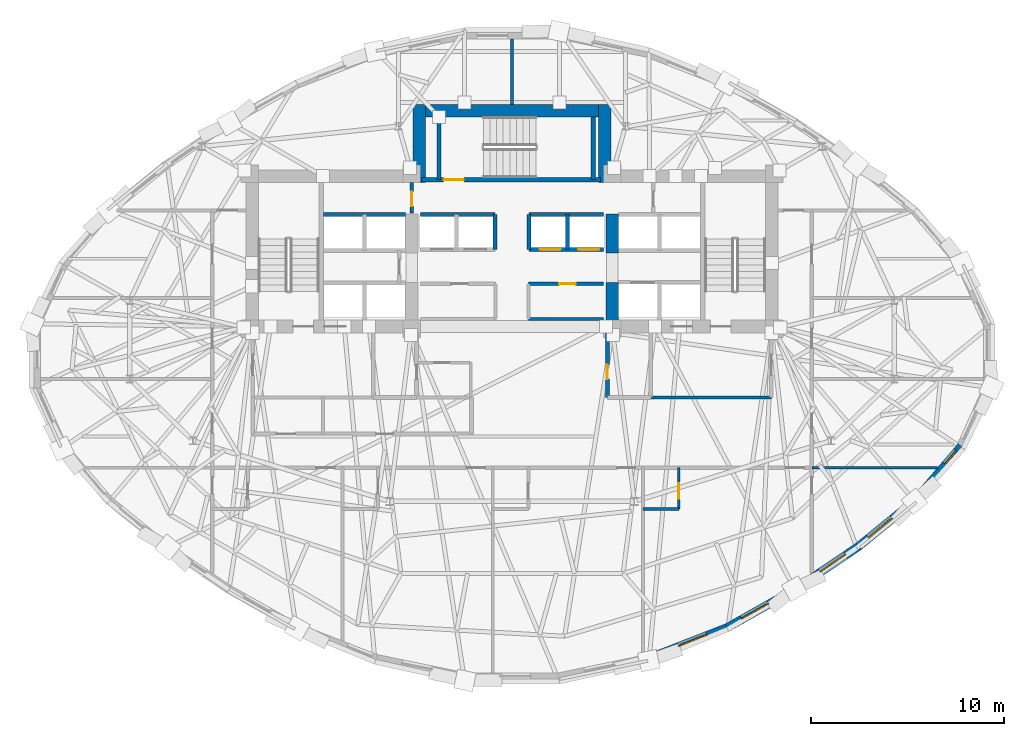
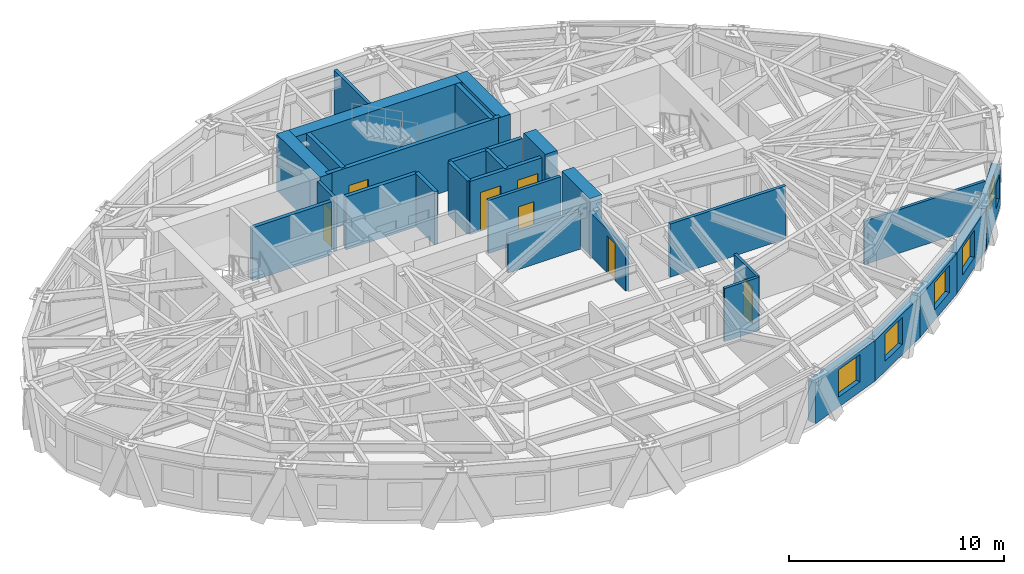
# One storey, part 8 of 14: 29 walls, 7 doors, 5 windows, 12 openings.
"""IFC4 building model written with IfcOpenShell, lengths in metres."""

import ifcopenshell
import ifcopenshell.guid

model = None  # the IFC model being written
_history = None  # IfcOwnerHistory: only IFC2X3 demands one
_inside = {}  # id of a spatial element -> (the spatial element, [elements in it])
_under = {}  # id of a project, library or spatial element -> (it, [spatial elements below it])
_declared = {}  # id of a project -> (the project, [libraries it declares])
_typed = {}  # id of a type object -> (the type object, [elements of that type])
_made_of = {}  # id of a material, layer set ... -> (it, [elements and type objects made of it])


def new_model(schema):
    """Start an empty IFC model of exactly this schema.

    Asked for "IFC4X3", IfcOpenShell would pick the latest addendum, in which some entities
    have other attributes; the version numbers below select the first issue.
    IFC2X3 requires an IfcOwnerHistory on every rooted entity: one is made here for all.
    """
    global model, _history
    if schema == "IFC4X3":
        model = ifcopenshell.file(schema_version=(4, 3, 0, 0))
    else:
        model = ifcopenshell.file(schema=schema)
    _inside.clear()
    _under.clear()
    _declared.clear()
    _typed.clear()
    _made_of.clear()
    _history = None
    if model.schema == "IFC2X3":
        org = make("IfcOrganization", Name="unknown")
        user = make(
            "IfcPersonAndOrganization",
            ThePerson=make("IfcPerson", FamilyName="unknown"),
            TheOrganization=org,
        )
        app = make(
            "IfcApplication",
            ApplicationDeveloper=org,
            Version="unknown",
            ApplicationFullName="unknown",
            ApplicationIdentifier="unknown",
        )
        _history = make(
            "IfcOwnerHistory",
            OwningUser=user,
            OwningApplication=app,
            ChangeAction="ADDED",
            CreationDate=0,
        )
    return model


def make(cls, **values):
    """One entity of the class cls with the attributes given. An attribute that is None is left unset."""
    return model.create_entity(
        cls, **{name: value for name, value in values.items() if value is not None}
    )


def rooted(cls, **values):
    """An entity with a GlobalId (a new one), such as an element, a storey or a relation."""
    return make(cls, GlobalId=ifcopenshell.guid.new(), OwnerHistory=_history, **values)


def si_unit(unit_type, name, prefix=None):
    """IfcSIUnit, for example si_unit("LENGTHUNIT", "METRE", prefix="MILLI")."""
    return make("IfcSIUnit", UnitType=unit_type, Prefix=prefix, Name=name)


def assignment(units):
    """IfcUnitAssignment: the units of a project."""
    return None if units is None else make("IfcUnitAssignment", Units=units)


def point(xyz):
    """IfcCartesianPoint."""
    return None if xyz is None else make("IfcCartesianPoint", Coordinates=xyz)


def direction(xyz):
    """IfcDirection."""
    return None if xyz is None else make("IfcDirection", DirectionRatios=xyz)


def frame(location, z_axis=None, x_axis=None):
    """IfcAxis2Placement3D, a coordinate frame: its origin and axes. An axis left out is left unset."""
    return make(
        "IfcAxis2Placement3D",
        Location=point(location),
        Axis=direction(z_axis),
        RefDirection=direction(x_axis),
    )


def frame_2d(location, x_axis=None):
    """IfcAxis2Placement2D, a coordinate frame in the plane: its origin and x axis."""
    return make(
        "IfcAxis2Placement2D", Location=point(location), RefDirection=direction(x_axis)
    )


def origin():
    """The frame at (0, 0, 0) with its axes left unset."""
    return frame((0.0, 0.0, 0.0))


def place(relative_to, where):
    """IfcLocalPlacement: puts the frame where relative to a parent placement (None: the world)."""
    return make(
        "IfcLocalPlacement", PlacementRelTo=relative_to, RelativePlacement=where
    )


def context(
    kind, dimensions, precision=None, world=None, true_north=None, identifier=None
):
    """IfcGeometricRepresentationContext, for example the 3D "Model" context."""
    return make(
        "IfcGeometricRepresentationContext",
        ContextIdentifier=identifier,
        ContextType=kind,
        CoordinateSpaceDimension=dimensions,
        Precision=precision,
        WorldCoordinateSystem=world,
        TrueNorth=true_north,
    )


def subcontext(parent, identifier, kind, view, scale=None):
    """IfcGeometricRepresentationSubContext, for example "Body" below "Model"."""
    return make(
        "IfcGeometricRepresentationSubContext",
        ContextIdentifier=identifier,
        ContextType=kind,
        ParentContext=parent,
        TargetScale=scale,
        TargetView=view,
    )


def project(units=None, contexts=None):
    """IfcProject with its units and contexts."""
    return rooted(
        "IfcProject",
        Name="project",
        RepresentationContexts=contexts,
        UnitsInContext=assignment(units),
    )


def spatial(cls, under=None, at=None, **own):
    """A site, building, storey or space (cls), placed at a placement, below another one or the project."""
    s = rooted(cls, ObjectPlacement=at, **own)
    if under is not None:
        _under.setdefault(under.id(), (under, []))[1].append(s)
    return s


def profile(cls, at=None, kind="AREA", **sizes):
    """A parametric profile (cls). Its sizes go by their IFC names, for example OverallWidth=200.0."""
    return make(cls, ProfileType=kind, Position=at, **sizes)


def rectangle(**sizes):
    """IfcRectangleProfileDef."""
    return profile("IfcRectangleProfileDef", **sizes)


def extrude(swept, where, along, depth):
    """IfcExtrudedAreaSolid: the profile swept, set in the frame where, extruded along a direction by depth."""
    return make(
        "IfcExtrudedAreaSolid",
        SweptArea=swept,
        Position=where,
        ExtrudedDirection=direction(along),
        Depth=depth,
    )


def shape(context_of_items, identifier, shape_type, items):
    """IfcShapeRepresentation: the items that make up one representation, for example the "Body"."""
    return make(
        "IfcShapeRepresentation",
        ContextOfItems=context_of_items,
        RepresentationIdentifier=identifier,
        RepresentationType=shape_type,
        Items=items,
    )


def material(Name=None, Category=None):
    """IfcMaterial."""
    return make("IfcMaterial", Name=Name, Category=Category)


def layer(
    of_material, thickness, ventilated=None, Name=None, Category=None, Priority=None
):
    """IfcMaterialLayer: one layer of a wall or slab, of a material (None: an air gap)."""
    return make(
        "IfcMaterialLayer",
        Material=of_material,
        LayerThickness=thickness,
        IsVentilated=ventilated,
        Name=Name,
        Category=Category,
        Priority=Priority,
    )


def layer_set(layers, Name=None):
    """IfcMaterialLayerSet."""
    return make("IfcMaterialLayerSet", MaterialLayers=layers, LayerSetName=Name)


def made_of(thing, what):
    """Note that an element or type object is made of a material, layer set ...; save() writes the relation."""
    if what is not None:
        _made_of.setdefault(what.id(), (what, []))[1].append(thing)
    return thing


def type_object(cls, material=None, **own):
    """A type object (cls), such as IfcWallType, which elements share."""
    return made_of(rooted(cls, **own), material)


def element(
    cls,
    number,
    at=None,
    inside=None,
    cuts=None,
    type_object=None,
    material=None,
    context=None,
    identifier="Body",
    shape_type=None,
    held_by="IfcProductDefinitionShape",
    body=None,
    shapes=None,
    **own,
):
    """One element of the class cls, such as IfcWall. Its Tag is "e" and its number.

    at: its placement. inside: the storey or other place that contains it. cuts: it is an
    opening in that element (IfcRelVoidsElement). A single representation is given by context,
    identifier, shape_type and body (its items); several are given by shapes. held_by: the class
    of the entity that holds the representations. save() writes the other relations.
    """
    e = rooted(cls, Tag="e%d" % number, ObjectPlacement=at, **own)
    if body is not None:
        shapes = [shape(context, identifier, shape_type, body)]
    if shapes is not None:
        e.Representation = make(held_by, Representations=shapes)
    if inside is not None:
        _inside.setdefault(inside.id(), (inside, []))[1].append(e)
    if cuts is not None:
        rooted(
            "IfcRelVoidsElement", RelatingBuildingElement=cuts, RelatedOpeningElement=e
        )
    if type_object is not None:
        _typed.setdefault(type_object.id(), (type_object, []))[1].append(e)
    return made_of(e, material)


def fill(opening, filler):
    """IfcRelFillsElement: the door or window that sits in an opening."""
    return rooted(
        "IfcRelFillsElement",
        RelatingOpeningElement=opening,
        RelatedBuildingElement=filler,
    )


def aggregate(whole, parts):
    """IfcRelAggregates: a whole, such as a stair, and the parts it consists of."""
    return rooted("IfcRelAggregates", RelatingObject=whole, RelatedObjects=parts)


def save(model, path):
    """Write the relations noted so far, then the file.

    IfcRelAggregates (storeys below a building ...), IfcRelContainedInSpatialStructure (elements
    in a storey), IfcRelDefinesByType, IfcRelAssociatesMaterial and IfcRelDeclares: one each for
    every whole, place, type object, material and project.
    """
    for whole, parts in _under.values():
        aggregate(whole, parts)
    for where, things in _inside.values():
        rooted(
            "IfcRelContainedInSpatialStructure",
            RelatedElements=things,
            RelatingStructure=where,
        )
    for kind, things in _typed.values():
        rooted("IfcRelDefinesByType", RelatedObjects=things, RelatingType=kind)
    for what, things in _made_of.values():
        rooted("IfcRelAssociatesMaterial", RelatedObjects=things, RelatingMaterial=what)
    for by, libraries in _declared.values():
        rooted("IfcRelDeclares", RelatingContext=by, RelatedDefinitions=libraries)
    model.write(path)


model = new_model("IFC4")

# Units and contexts
model_context = context("Model", 3, precision=1e-05, world=origin(), true_north=direction((0.0, 1.0)))
body_context = subcontext(model_context, "Body", "Model", "MODEL_VIEW")
ifc_project = project(units=[si_unit("LENGTHUNIT", "METRE"), si_unit("AREAUNIT", "SQUARE_METRE"), si_unit("VOLUMEUNIT", "CUBIC_METRE"), si_unit("PLANEANGLEUNIT", "RADIAN"), si_unit("MASSUNIT", "GRAM", prefix="KILO")], contexts=[model_context])

# Site, building, storey
site_placement = place(None, origin())
site = spatial("IfcSite", under=ifc_project, at=site_placement, CompositionType="ELEMENT")
building_placement = place(site_placement, origin())
building = spatial("IfcBuilding", under=site, at=building_placement, Name="Keldmark Tower", CompositionType="ELEMENT")
storey_placement = place(building_placement, frame((0.0, 0.0, 182.199951171875)))
storey = spatial("IfcBuildingStorey", under=building, at=storey_placement, Name="L50", CompositionType="ELEMENT", Elevation=182.199951171875)

# Walls
ifc_material_1 = material(Name="Type X Fire-Rated Gypsum Partition Assembly", Category="gypsum")
ifc_layer_1 = layer(ifc_material_1, 0.1650390625)
ifc_layer_set_1 = layer_set([ifc_layer_1], Name="Type X Fire-Rated Gypsum Partition Assembly")
wall_type_1 = type_object("IfcWallType", Name="Rated Partition 165 mm", PredefinedType="PARTITIONING", material=ifc_layer_set_1)
wall_1_placement = place(storey_placement, frame((7.199951171875, -2.14990234375, 0.0), z_axis=(0.0, 0.0, 1.0), x_axis=(1.0, 0.0, 0.0)))
element("IfcWall", 1, at=wall_1_placement, inside=storey, type_object=wall_type_1, Name="L50 Rated Partition 165 mm FSAE-E-S", PredefinedType="PARTITIONING", context=body_context, shape_type="SweptSolid", body=[
    extrude(rectangle(XDim=6.25, YDim=0.1650390625, at=frame_2d((3.125, 0.0))), origin(), (0.0, 0.0, 1.0), 3.02001953125),
])
wall_2_placement = place(storey_placement, frame((0.85009765625, 1.919921875, 0.0), z_axis=(0.0, 0.0, 1.0), x_axis=(1.0, 0.0, 0.0)))
element("IfcWall", 2, at=wall_2_placement, inside=storey, type_object=wall_type_1, Name="L50 Rated Partition 165 mm REC-LE-S", PredefinedType="PARTITIONING", context=body_context, shape_type="SweptSolid", body=[
    extrude(rectangle(XDim=3.889892578125, YDim=0.1650390625, at=frame_2d((1.94482421875, 0.0))), origin(), (0.0, 0.0, 1.0), 2.16015625),
])

# Wall, opening, door
wall_3_placement = place(storey_placement, frame((0.85009765625, 3.739990234375, 0.0), z_axis=(0.0, 0.0, 1.0), x_axis=(1.0, 0.0, 0.0)))
wall_3 = element("IfcWall", 3, at=wall_3_placement, inside=storey, type_object=wall_type_1, Name="L50 Rated Partition 165 mm REC-LE-N", PredefinedType="PARTITIONING", context=body_context, shape_type="SweptSolid", body=[
    extrude(rectangle(XDim=3.889892578125, YDim=0.1650390625, at=frame_2d((1.94482421875, 0.0))), origin(), (0.0, 0.0, 1.0), 3.02001953125),
])
opening_1_placement = place(wall_3_placement, frame((1.60009765625, 0.0, 0.0)))
opening_1 = element("IfcOpeningElement", 4, at=opening_1_placement, cuts=wall_3, Name="Opening D-SV085", PredefinedType="OPENING", context=body_context, shape_type="SweptSolid", body=[
    extrude(rectangle(XDim=0.85009765625, YDim=2.10009765625, at=frame_2d((0.425048828125, 1.050048828125))), frame((0.0, 0.092529296875, 0.0), z_axis=(0.0, -1.0, 0.0), x_axis=(1.0, 0.0, 0.0)), (0.0, 0.0, 1.0), 0.18505859375),
])
ifc_material_2 = material(Name="Painted Hollow Metal Door Assembly", Category="metal")
door_type_1 = type_object("IfcDoorType", Name="Service Door 850x2100", OperationType="NOTDEFINED", PredefinedType="DOOR", material=ifc_material_2)
door_1_placement = place(opening_1_placement, origin())
door_1 = element("IfcDoor", 5, at=door_1_placement, inside=storey, type_object=door_type_1, Name="L50 Service Door 850x2100 D-RECLE1-L50", OperationType="SINGLE_SWING_RIGHT", OverallHeight=2.10009765625, OverallWidth=0.85009765625, PredefinedType="DOOR", context=body_context, shape_type="SweptSolid", body=[
    extrude(rectangle(XDim=0.85009765625, YDim=2.10009765625, at=frame_2d((0.425048828125, 1.050048828125))), frame((0.0, 0.02490234375, 0.0), z_axis=(0.0, -1.0, 0.0), x_axis=(1.0, 0.0, 0.0)), (0.0, 0.0, 1.0), 0.050048828125),
])
fill(opening_1, door_1)

wall_4_placement = place(storey_placement, frame((-5.199951171875, 7.419921875, 0.0), z_axis=(0.0, 0.0, 1.0), x_axis=(0.0, 1.0, 0.0)))
wall_4 = element("IfcWall", 6, at=wall_4_placement, inside=storey, type_object=wall_type_1, Name="L50 Rated Partition 165 mm CS-NW-E", PredefinedType="PARTITIONING", context=body_context, shape_type="SweptSolid", body=[
    extrude(rectangle(XDim=1.580078125, YDim=0.1650390625, at=frame_2d((0.7900390625, 0.0))), origin(), (0.0, 0.0, 1.0), 3.02001953125),
])
opening_2_placement = place(wall_4_placement, frame((0.35009765625, 0.0, 0.0)))
opening_2 = element("IfcOpeningElement", 7, at=opening_2_placement, cuts=wall_4, Name="Opening D-RS075", PredefinedType="OPENING", context=body_context, shape_type="SweptSolid", body=[
    extrude(rectangle(XDim=0.75, YDim=2.10009765625, at=frame_2d((0.375, 1.050048828125))), frame((0.0, 0.092529296875, 0.0), z_axis=(0.0, -1.0, 0.0), x_axis=(1.0, 0.0, 0.0)), (0.0, 0.0, 1.0), 0.18505859375),
])
ifc_material_3 = material(Name="Galvanized Fire-Rated Access Leaf", Category="metal")
door_type_2 = type_object("IfcDoorType", Name="Riser Access Door 750x2100", OperationType="NOTDEFINED", PredefinedType="DOOR", material=ifc_material_3)
door_2_placement = place(opening_2_placement, origin())
door_2 = element("IfcDoor", 8, at=door_2_placement, inside=storey, type_object=door_type_2, Name="L50 Riser Access Door 750x2100 D-CSNW1-L50", OperationType="SINGLE_SWING_LEFT", OverallHeight=2.10009765625, OverallWidth=0.75, PredefinedType="DOOR", context=body_context, shape_type="SweptSolid", body=[
    extrude(rectangle(XDim=0.75, YDim=2.10009765625, at=frame_2d((0.375, 1.050048828125))), frame((0.0, 0.02490234375, 0.0), z_axis=(0.0, -1.0, 0.0), x_axis=(1.0, 0.0, 0.0)), (0.0, 0.0, 1.0), 0.050048828125),
])
fill(opening_2, door_2)

# Wall
wall_5_placement = place(storey_placement, frame((0.0, 13.050048828125, 0.0), z_axis=(0.0, 0.0, 1.0), x_axis=(0.0, 1.0, 0.0)))
element("IfcWall", 9, at=wall_5_placement, inside=storey, type_object=wall_type_1, Name="L50 Rated Partition 165 mm HN-DIV", PredefinedType="PARTITIONING", context=body_context, shape_type="SweptSolid", body=[
    extrude(rectangle(XDim=3.382568359375, YDim=0.1650390625, at=frame_2d((1.69140625, 0.0))), origin(), (0.0, 0.0, 1.0), 3.02001953125),
])

# Wall, opening, door
ifc_material_4 = material(Name="Fire-Resistant Type X Gypsum Shaftliner Coreboard", Category="gypsum")
ifc_layer_2 = layer(ifc_material_4, 0.199951171875)
ifc_layer_set_2 = layer_set([ifc_layer_2], Name="Fire-Resistant Type X Gypsum Shaftliner Coreboard")
wall_type_2 = type_object("IfcWallType", Name="Shaft Wall 200 mm", PredefinedType="SOLIDWALL", material=ifc_layer_set_2)
wall_6_placement = place(storey_placement, frame((4.949951171875, -2.14990234375, 0.0), z_axis=(0.0, 0.0, 1.0), x_axis=(0.0, 1.0, 0.0)))
wall_6 = element("IfcWall", 10, at=wall_6_placement, inside=storey, type_object=wall_type_2, Name="L50 Shaft Wall 200 mm RIS-SE-W", PredefinedType="SOLIDWALL", context=body_context, shape_type="SweptSolid", body=[
    extrude(rectangle(XDim=3.39990234375, YDim=0.199951171875, at=frame_2d((1.699951171875, 0.0))), origin(), (0.0, 0.0, 1.0), 2.47314453125),
])
opening_3_placement = place(wall_6_placement, frame((0.949951171875, 0.0, 0.0)))
opening_3 = element("IfcOpeningElement", 11, at=opening_3_placement, cuts=wall_6, Name="Opening D-RS075", PredefinedType="OPENING", context=body_context, shape_type="SweptSolid", body=[
    extrude(rectangle(XDim=0.75, YDim=2.10009765625, at=frame_2d((0.375, 1.050048828125))), frame((0.0, 0.10986328125, 0.0), z_axis=(0.0, -1.0, 0.0), x_axis=(1.0, 0.0, 0.0)), (0.0, 0.0, 1.0), 0.219970703125),
])
door_3_placement = place(opening_3_placement, origin())
door_3 = element("IfcDoor", 12, at=door_3_placement, inside=storey, type_object=door_type_2, Name="L50 Riser Access Door 750x2100 D-RISSE-L50", OperationType="SINGLE_SWING_LEFT", OverallHeight=2.10009765625, OverallWidth=0.75, PredefinedType="DOOR", context=body_context, shape_type="SweptSolid", body=[
    extrude(rectangle(XDim=0.75, YDim=2.10009765625, at=frame_2d((0.375, 1.050048828125))), frame((0.0, 0.02490234375, 0.0), z_axis=(0.0, -1.0, 0.0), x_axis=(1.0, 0.0, 0.0)), (0.0, 0.0, 1.0), 0.050048828125),
])
fill(opening_3, door_3)

# Wall
wall_7_placement = place(storey_placement, frame((-9.780029296875, 7.330078125, 0.0), z_axis=(0.0, 0.0, 1.0), x_axis=(1.0, 0.0, 0.0)))
element("IfcWall", 13, at=wall_7_placement, inside=storey, type_object=wall_type_2, Name="L50 Shaft Wall 200 mm HW-W-TOP", PredefinedType="SOLIDWALL", context=body_context, shape_type="SweptSolid", body=[
    extrude(rectangle(XDim=4.255126953125, YDim=0.199951171875, at=frame_2d((2.12744140625, 0.0))), origin(), (0.0, 0.0, 1.0), 3.02001953125),
])

# Wall, openings, doors
wall_8_placement = place(storey_placement, frame((0.8798828125, 5.52001953125, 0.0), z_axis=(0.0, 0.0, 1.0), x_axis=(1.0, 0.0, 0.0)))
wall_8 = element("IfcWall", 14, at=wall_8_placement, inside=storey, type_object=wall_type_2, Name="L50 Shaft Wall 200 mm MID-S-E", PredefinedType="SOLIDWALL", context=body_context, shape_type="SweptSolid", body=[
    extrude(rectangle(XDim=3.860107421875, YDim=0.199951171875, at=frame_2d((1.93017578125, 0.0))), origin(), (0.0, 0.0, 1.0), 3.02001953125),
])
opening_4_placement = place(wall_8_placement, frame((0.550048828125, 0.0, 0.0)))
opening_4 = element("IfcOpeningElement", 15, at=opening_4_placement, cuts=wall_8, Name="Opening LD-110", PredefinedType="OPENING", context=body_context, shape_type="SweptSolid", body=[
    extrude(rectangle(XDim=1.10009765625, YDim=2.199951171875, at=frame_2d((0.550048828125, 1.10009765625))), frame((0.0, 0.10986328125, 0.0), z_axis=(0.0, -1.0, 0.0), x_axis=(1.0, 0.0, 0.0)), (0.0, 0.0, 1.0), 0.219970703125),
])
opening_5_placement = place(wall_8_placement, frame((2.550048828125, 0.0, 0.0)))
opening_5 = element("IfcOpeningElement", 16, at=opening_5_placement, cuts=wall_8, Name="Opening LD-110", PredefinedType="OPENING", context=body_context, shape_type="SweptSolid", body=[
    extrude(rectangle(XDim=1.10009765625, YDim=2.199951171875, at=frame_2d((0.550048828125, 1.10009765625))), frame((0.0, 0.10986328125, 0.0), z_axis=(0.0, -1.0, 0.0), x_axis=(1.0, 0.0, 0.0)), (0.0, 0.0, 1.0), 0.219970703125),
])
ifc_material_5 = material(Name="Brushed Bronze Hoistway Sliding Leaf", Category="metal")
door_type_3 = type_object("IfcDoorType", Name="Lift Landing Sliding Door 1100x2200", OperationType="SLIDING_TO_LEFT", PredefinedType="DOOR", material=ifc_material_5)
door_4_placement = place(opening_4_placement, origin())
door_4 = element("IfcDoor", 17, at=door_4_placement, inside=storey, type_object=door_type_3, Name="L50 Lift Landing Sliding Door 1100x2200 LD-EL-M3-L50", OperationType="SLIDING_TO_LEFT", OverallHeight=2.199951171875, OverallWidth=1.10009765625, PredefinedType="DOOR", context=body_context, shape_type="SweptSolid", body=[
    extrude(rectangle(XDim=1.10009765625, YDim=2.199951171875, at=frame_2d((0.550048828125, 1.10009765625))), frame((0.0, 0.02490234375, 0.0), z_axis=(0.0, -1.0, 0.0), x_axis=(1.0, 0.0, 0.0)), (0.0, 0.0, 1.0), 0.050048828125),
])
fill(opening_4, door_4)
door_5_placement = place(opening_5_placement, origin())
door_5 = element("IfcDoor", 18, at=door_5_placement, inside=storey, type_object=door_type_3, Name="L50 Lift Landing Sliding Door 1100x2200 LD-EL-M4-L50", OperationType="SLIDING_TO_LEFT", OverallHeight=2.199951171875, OverallWidth=1.10009765625, PredefinedType="DOOR", context=body_context, shape_type="SweptSolid", body=[
    extrude(rectangle(XDim=1.10009765625, YDim=2.199951171875, at=frame_2d((0.550048828125, 1.10009765625))), frame((0.0, 0.02490234375, 0.0), z_axis=(0.0, -1.0, 0.0), x_axis=(1.0, 0.0, 0.0)), (0.0, 0.0, 1.0), 0.050048828125),
])
fill(opening_5, door_5)

# Walls
for number, where, z_axis, x_axis, name in (
    (19, (-4.739990234375, 7.330078125, 0.0), (0.0, 0.0, 1.0), (1.0, 0.0, 0.0), "L50 Shaft Wall 200 mm MID-N-W"),
    (20, (0.8798828125, 7.330078125, 0.0), (0.0, 0.0, 1.0), (1.0, 0.0, 0.0), "L50 Shaft Wall 200 mm MID-N-E"),
):
    element("IfcWall", number, at=place(storey_placement, frame(where, z_axis=z_axis, x_axis=x_axis)), inside=storey, type_object=wall_type_2, Name=name, PredefinedType="SOLIDWALL", context=body_context, shape_type="SweptSolid", body=[
        extrude(rectangle(XDim=3.860107421875, YDim=0.199951171875, at=frame_2d((1.93017578125, 0.0))), origin(), (0.0, 0.0, 1.0), 3.02001953125),
    ])
for number, where, z_axis, x_axis, name in (
    (21, (2.8798828125, 5.52001953125, 0.0), (0.0, 0.0, 1.0), (0.0, 1.0, 0.0), "L50 Shaft Wall 200 mm MID-M-E"),
    (22, (-0.8798828125, 5.52001953125, 0.0), (0.0, 0.0, 1.0), (0.0, 1.0, 0.0), "L50 Shaft Wall 200 mm MID-C-W"),
    (23, (0.8798828125, 5.52001953125, 0.0), (0.0, 0.0, 1.0), (0.0, 1.0, 0.0), "L50 Shaft Wall 200 mm MID-C-E"),
):
    element("IfcWall", number, at=place(storey_placement, frame(where, z_axis=z_axis, x_axis=x_axis)), inside=storey, type_object=wall_type_2, Name=name, PredefinedType="SOLIDWALL", context=body_context, shape_type="SweptSolid", body=[
        extrude(rectangle(XDim=1.81005859375, YDim=0.199951171875, at=frame_2d((0.905029296875, 0.0))), origin(), (0.0, 0.0, 1.0), 3.02001953125),
    ])

# Wall, opening, door
ifc_material_6 = material(Name="Concrete C50/60", Category="concrete")
ifc_layer_3 = layer(ifc_material_6, 0.219970703125)
ifc_layer_set_3 = layer_set([ifc_layer_3], Name="Concrete C50/60")
wall_type_3 = type_object("IfcWallType", Name="Stair Core Shear Wall 220 mm", PredefinedType="SHEAR", material=ifc_layer_set_3)
wall_9_placement = place(storey_placement, frame((-4.699951171875, 9.139892578125, 0.0), z_axis=(0.0, 0.0, 1.0), x_axis=(1.0, 0.0, 0.0)))
wall_9 = element("IfcWall", 24, at=wall_9_placement, inside=storey, type_object=wall_type_3, Name="L50 Central Stair Core South Shear Wall", PredefinedType="SHEAR", context=body_context, shape_type="SweptSolid", body=[
    extrude(rectangle(XDim=9.300048828125, YDim=0.219970703125, at=frame_2d((4.64990234375, 0.0))), origin(), (0.0, 0.0, 1.0), 3.199951171875),
])
opening_6_placement = place(wall_9_placement, frame((1.14990234375, 0.0, 0.0)))
opening_6 = element("IfcOpeningElement", 25, at=opening_6_placement, cuts=wall_9, Name="Opening D-ST105", PredefinedType="OPENING", context=body_context, shape_type="SweptSolid", body=[
    extrude(rectangle(XDim=1.050048828125, YDim=2.14990234375, at=frame_2d((0.52490234375, 1.074951171875))), frame((0.0, 0.119873046875, 0.0), z_axis=(0.0, -1.0, 0.0), x_axis=(1.0, 0.0, 0.0)), (0.0, 0.0, 1.0), 0.239990234375),
])
ifc_material_7 = material(Name="Hollow Metal Fire-Rated Door Assembly", Category="metal")
door_type_4 = type_object("IfcDoorType", Name="Stair Fire Door 1050x2150", OperationType="NOTDEFINED", PredefinedType="DOOR", material=ifc_material_7)
door_6_placement = place(opening_6_placement, origin())
door_6 = element("IfcDoor", 26, at=door_6_placement, inside=storey, type_object=door_type_4, Name="L50 Stair Fire Door 1050x2150 D-ST3-L50", OperationType="SINGLE_SWING_RIGHT", OverallHeight=2.14990234375, OverallWidth=1.050048828125, PredefinedType="DOOR", context=body_context, shape_type="SweptSolid", body=[
    extrude(rectangle(XDim=1.050048828125, YDim=2.14990234375, at=frame_2d((0.52490234375, 1.074951171875))), frame((0.0, 0.02490234375, 0.0), z_axis=(0.0, -1.0, 0.0), x_axis=(1.0, 0.0, 0.0)), (0.0, 0.0, 1.0), 0.050048828125),
])
fill(opening_6, door_6)

# Walls
for number, where, z_axis, x_axis, name in (
    (27, (-3.784912109375, 9.139892578125, 0.0), (0.0, 0.0, 1.0), (0.0, 1.0, 0.0), "L50 Central Stair Core West Shear Wall"),
    (28, (4.215087890625, 9.139892578125, 0.0), (0.0, 0.0, 1.0), (0.0, 1.0, 0.0), "L50 Central Stair Core East Shear Wall"),
):
    element("IfcWall", number, at=place(storey_placement, frame(where, z_axis=z_axis, x_axis=x_axis)), inside=storey, type_object=wall_type_3, Name=name, PredefinedType="SHEAR", context=body_context, shape_type="SweptSolid", body=[
        extrude(rectangle(XDim=3.260009765625, YDim=0.219970703125, at=frame_2d((1.6298828125, 0.0))), origin(), (0.0, 0.0, 1.0), 3.199951171875),
    ])

# Wall, opening, window
ifc_material_8 = material(Name="Ironspot Manganese Brick and Kasota Buff Limestone Spandrel Assembly", Category="masonry")
ifc_layer_4 = layer(ifc_material_8, 0.43994140625)
ifc_layer_set_4 = layer_set([ifc_layer_4], Name="Ironspot Manganese Brick and Kasota Buff Limestone Spandrel Assembly")
wall_type_4 = type_object("IfcWallType", Name="Tower Brick Pier and Spandrel Wall 440 mm", PredefinedType="STANDARD", material=ifc_layer_set_4)
wall_10_placement = place(storey_placement, frame((11.1884765625, -14.0869140625, 0.0), z_axis=(0.0, 0.0, 1.0), x_axis=(-0.93133333838, -0.364167836062, 0.0)))
wall_10 = element("IfcWall", 29, at=wall_10_placement, inside=storey, type_object=wall_type_4, Name="L50 Exterior Brick and Spandrel Wall 26", PredefinedType="STANDARD", context=body_context, shape_type="SweptSolid", body=[
    extrude(rectangle(XDim=4.45361328125, YDim=0.43994140625, at=frame_2d((2.226806640625, 0.0))), origin(), (0.0, 0.0, 1.0), 2.31494140625),
])
opening_7_placement = place(wall_10_placement, frame((1.13232421875, 0.0, 0.580078125)))
opening_7 = element("IfcOpeningElement", 30, at=opening_7_placement, cuts=wall_10, Name="Opening W-04", PredefinedType="OPENING", context=body_context, shape_type="SweptSolid", body=[
    extrude(rectangle(XDim=1.60009765625, YDim=1.550048828125, at=frame_2d((0.800048828125, 0.77490234375))), frame((0.0, 0.22998046875, 0.0), z_axis=(0.0, -1.0, 0.0), x_axis=(1.0, 0.0, 0.0)), (0.0, 0.0, 1.0), 0.4599609375),
])
ifc_material_9 = material(Name="Thermally Broken Anodized Aluminum and Triple Low-E Argon Glazing", Category="aluminium")
window_type_1 = type_object("IfcWindowType", Name="Hotel Deep-Set Operable Window 1600x1550", PartitioningType="DOUBLE_PANEL_HORIZONTAL", PredefinedType="WINDOW", material=ifc_material_9)
window_1_placement = place(opening_7_placement, origin())
window_1 = element("IfcWindow", 31, at=window_1_placement, inside=storey, type_object=window_type_1, Name="L50 Deep-Set Window 26", OverallHeight=1.550048828125, OverallWidth=1.60009765625, PartitioningType="SINGLE_PANEL", PredefinedType="WINDOW", context=body_context, shape_type="SweptSolid", body=[
    extrude(rectangle(XDim=1.60009765625, YDim=1.550048828125, at=frame_2d((0.800048828125, 0.77490234375))), frame((0.0, -0.010009765625, 0.0), z_axis=(0.0, -1.0, 0.0), x_axis=(1.0, 0.0, 0.0)), (0.0, 0.0, 1.0), 0.06005859375),
])
fill(opening_7, window_1)

wall_11_placement = place(storey_placement, frame((14.745849609375, -12.078369140625, 0.0), z_axis=(0.0, 0.0, 1.0), x_axis=(-0.871039635509, -0.491212737388, 0.0)))
wall_11 = element("IfcWall", 32, at=wall_11_placement, inside=storey, type_object=wall_type_4, Name="L50 Exterior Brick and Spandrel Wall 27", PredefinedType="STANDARD", context=body_context, shape_type="SweptSolid", body=[
    extrude(rectangle(XDim=4.1162109375, YDim=0.43994140625, at=frame_2d((2.05810546875, 0.0))), origin(), (0.0, 0.0, 1.0), 2.31494140625),
])
opening_8_placement = place(wall_11_placement, frame((1.627197265625, 0.0, 0.580078125)))
opening_8 = element("IfcOpeningElement", 33, at=opening_8_placement, cuts=wall_11, Name="Opening W-04", PredefinedType="OPENING", context=body_context, shape_type="SweptSolid", body=[
    extrude(rectangle(XDim=1.60009765625, YDim=1.550048828125, at=frame_2d((0.800048828125, 0.77490234375))), frame((0.0, 0.22998046875, 0.0), z_axis=(0.0, -1.0, 0.0), x_axis=(1.0, 0.0, 0.0)), (0.0, 0.0, 1.0), 0.4599609375),
])
window_2_placement = place(opening_8_placement, origin())
window_2 = element("IfcWindow", 34, at=window_2_placement, inside=storey, type_object=window_type_1, Name="L50 Deep-Set Window 27", OverallHeight=1.550048828125, OverallWidth=1.60009765625, PartitioningType="SINGLE_PANEL", PredefinedType="WINDOW", context=body_context, shape_type="SweptSolid", body=[
    extrude(rectangle(XDim=1.60009765625, YDim=1.550048828125, at=frame_2d((0.800048828125, 0.77490234375))), frame((0.0, -0.010009765625, 0.0), z_axis=(0.0, -1.0, 0.0), x_axis=(1.0, 0.0, 0.0)), (0.0, 0.0, 1.0), 0.06005859375),
])
fill(opening_8, window_2)

wall_12_placement = place(storey_placement, frame((17.97607421875, -9.8876953125, 0.0), z_axis=(0.0, 0.0, 1.0), x_axis=(-0.827733986143, -0.561120707321, 0.0)))
wall_12 = element("IfcWall", 35, at=wall_12_placement, inside=storey, type_object=wall_type_4, Name="L50 Exterior Brick and Spandrel Wall 28", PredefinedType="STANDARD", context=body_context, shape_type="SweptSolid", body=[
    extrude(rectangle(XDim=3.921142578125, YDim=0.43994140625, at=frame_2d((1.96044921875, 0.0))), origin(), (0.0, 0.0, 1.0), 2.31494140625),
])
opening_9_placement = place(wall_12_placement, frame((0.791015625, 0.0, 0.580078125)))
opening_9 = element("IfcOpeningElement", 36, at=opening_9_placement, cuts=wall_12, Name="Opening W-04", PredefinedType="OPENING", context=body_context, shape_type="SweptSolid", body=[
    extrude(rectangle(XDim=1.60009765625, YDim=1.550048828125, at=frame_2d((0.800048828125, 0.77490234375))), frame((0.0, 0.22998046875, 0.0), z_axis=(0.0, -1.0, 0.0), x_axis=(1.0, 0.0, 0.0)), (0.0, 0.0, 1.0), 0.4599609375),
])
window_3_placement = place(opening_9_placement, origin())
window_3 = element("IfcWindow", 37, at=window_3_placement, inside=storey, type_object=window_type_1, Name="L50 Deep-Set Window 28", OverallHeight=1.550048828125, OverallWidth=1.60009765625, PartitioningType="SINGLE_PANEL", PredefinedType="WINDOW", context=body_context, shape_type="SweptSolid", body=[
    extrude(rectangle(XDim=1.60009765625, YDim=1.550048828125, at=frame_2d((0.800048828125, 0.77490234375))), frame((0.0, -0.010009765625, 0.0), z_axis=(0.0, -1.0, 0.0), x_axis=(1.0, 0.0, 0.0)), (0.0, 0.0, 1.0), 0.06005859375),
])
fill(opening_9, window_3)

wall_13_placement = place(storey_placement, frame((20.943115234375, -7.46875, 0.0), z_axis=(0.0, 0.0, 1.0), x_axis=(-0.77522232587, -0.631688487684, 0.0)))
wall_13 = element("IfcWall", 38, at=wall_13_placement, inside=storey, type_object=wall_type_4, Name="L50 Exterior Brick and Spandrel Wall 29", PredefinedType="STANDARD", context=body_context, shape_type="SweptSolid", body=[
    extrude(rectangle(XDim=3.847412109375, YDim=0.43994140625, at=frame_2d((1.923828125, 0.0))), origin(), (0.0, 0.0, 1.0), 2.31494140625),
])
opening_10_placement = place(wall_13_placement, frame((1.548095703125, 0.0, 0.580078125)))
opening_10 = element("IfcOpeningElement", 39, at=opening_10_placement, cuts=wall_13, Name="Opening W-04", PredefinedType="OPENING", context=body_context, shape_type="SweptSolid", body=[
    extrude(rectangle(XDim=1.60009765625, YDim=1.550048828125, at=frame_2d((0.800048828125, 0.77490234375))), frame((0.0, 0.22998046875, 0.0), z_axis=(0.0, -1.0, 0.0), x_axis=(1.0, 0.0, 0.0)), (0.0, 0.0, 1.0), 0.4599609375),
])
window_4_placement = place(opening_10_placement, origin())
window_4 = element("IfcWindow", 40, at=window_4_placement, inside=storey, type_object=window_type_1, Name="L50 Deep-Set Window 29", OverallHeight=1.550048828125, OverallWidth=1.60009765625, PartitioningType="SINGLE_PANEL", PredefinedType="WINDOW", context=body_context, shape_type="SweptSolid", body=[
    extrude(rectangle(XDim=1.60009765625, YDim=1.550048828125, at=frame_2d((0.800048828125, 0.77490234375))), frame((0.0, -0.010009765625, 0.0), z_axis=(0.0, -1.0, 0.0), x_axis=(1.0, 0.0, 0.0)), (0.0, 0.0, 1.0), 0.06005859375),
])
fill(opening_10, window_4)

wall_14_placement = place(storey_placement, frame((23.306640625, -4.684814453125, 0.0), z_axis=(0.0, 0.0, 1.0), x_axis=(-0.648014991522, -0.761627580096, 0.0)))
wall_14 = element("IfcWall", 41, at=wall_14_placement, inside=storey, type_object=wall_type_4, Name="L50 Exterior Brick and Spandrel Wall 30", PredefinedType="STANDARD", context=body_context, shape_type="SweptSolid", body=[
    extrude(rectangle(XDim=3.69189453125, YDim=0.43994140625, at=frame_2d((1.845947265625, 0.0))), origin(), (0.0, 0.0, 1.0), 2.31494140625),
])
opening_11_placement = place(wall_14_placement, frame((0.349609375, 0.0, 0.580078125)))
opening_11 = element("IfcOpeningElement", 42, at=opening_11_placement, cuts=wall_14, Name="Opening W-09", PredefinedType="OPENING", context=body_context, shape_type="SweptSolid", body=[
    extrude(rectangle(XDim=0.89990234375, YDim=1.35009765625, at=frame_2d((0.449951171875, 0.675048828125))), frame((0.0, 0.22998046875, 0.0), z_axis=(0.0, -1.0, 0.0), x_axis=(1.0, 0.0, 0.0)), (0.0, 0.0, 1.0), 0.4599609375),
])
ifc_material_10 = material(Name="Thermally Broken Anodized Aluminum and Triple Low-E Argon Glazing", Category="aluminium")
window_type_2 = type_object("IfcWindowType", Name="Corner Pier Deep-Set Window 900x1350", PartitioningType="SINGLE_PANEL", PredefinedType="WINDOW", material=ifc_material_10)
window_5_placement = place(opening_11_placement, origin())
window_5 = element("IfcWindow", 43, at=window_5_placement, inside=storey, type_object=window_type_2, Name="L50 Deep-Set Window 30", OverallHeight=1.35009765625, OverallWidth=0.89990234375, PartitioningType="SINGLE_PANEL", PredefinedType="WINDOW", context=body_context, shape_type="SweptSolid", body=[
    extrude(rectangle(XDim=0.89990234375, YDim=1.35009765625, at=frame_2d((0.449951171875, 0.675048828125))), frame((0.0, -0.010009765625, 0.0), z_axis=(0.0, -1.0, 0.0), x_axis=(1.0, 0.0, 0.0)), (0.0, 0.0, 1.0), 0.06005859375),
])
fill(opening_11, window_5)

# Walls
ifc_material_11 = material(Name="Concrete C50/60", Category="concrete")
ifc_layer_5 = layer(ifc_material_11, 0.64990234375)
ifc_layer_set_5 = layer_set([ifc_layer_5], Name="Concrete C50/60")
wall_type_5 = type_object("IfcWallType", Name="Upper-Mid Core Shear Wall 650 mm", PredefinedType="SHEAR", material=ifc_layer_set_5)
wall_15_placement = place(storey_placement, frame((5.199951171875, 1.199951171875, 0.0), z_axis=(0.0, 0.0, 1.0), x_axis=(0.0, 1.0, 0.0)))
element("IfcWall", 44, at=wall_15_placement, inside=storey, type_object=wall_type_5, Name="L50 East Core Inner Shear Pier South", PredefinedType="SHEAR", context=body_context, shape_type="SweptSolid", body=[
    extrude(rectangle(XDim=2.60009765625, YDim=0.64990234375, at=frame_2d((1.300048828125, 0.0))), origin(), (0.0, 0.0, 1.0), 3.199951171875),
])
wall_16_placement = place(storey_placement, frame((5.199951171875, 5.35009765625, 0.0), z_axis=(0.0, 0.0, 1.0), x_axis=(0.0, 1.0, 0.0)))
element("IfcWall", 45, at=wall_16_placement, inside=storey, type_object=wall_type_5, Name="L50 East Core Inner Shear Pier North", PredefinedType="SHEAR", context=body_context, shape_type="SweptSolid", body=[
    extrude(rectangle(XDim=2.0, YDim=0.64990234375, at=frame_2d((1.0, 0.0))), origin(), (0.0, 0.0, 1.0), 3.199951171875),
])
wall_17_placement = place(storey_placement, frame((-5.125, 12.72509765625, 0.0), z_axis=(0.0, 0.0, 1.0), x_axis=(1.0, 0.0, 0.0)))
element("IfcWall", 46, at=wall_17_placement, inside=storey, type_object=wall_type_5, Name="L50 North Core Shear Wall", PredefinedType="SHEAR", context=body_context, shape_type="SweptSolid", body=[
    extrude(rectangle(XDim=10.25, YDim=0.64990234375, at=frame_2d((5.125, 0.0))), origin(), (0.0, 0.0, 1.0), 3.199951171875),
])
for number, where, z_axis, x_axis, name in (
    (47, (-4.800048828125, 9.0, 0.0), (0.0, 0.0, 1.0), (0.0, 1.0, 0.0), "L50 North Core West Shear Wall"),
    (48, (4.800048828125, 9.0, 0.0), (0.0, 0.0, 1.0), (0.0, 1.0, 0.0), "L50 North Core East Shear Wall"),
):
    element("IfcWall", number, at=place(storey_placement, frame(where, z_axis=z_axis, x_axis=x_axis)), inside=storey, type_object=wall_type_5, Name=name, PredefinedType="SHEAR", context=body_context, shape_type="SweptSolid", body=[
        extrude(rectangle(XDim=4.050048828125, YDim=0.64990234375, at=frame_2d((2.02490234375, 0.0))), origin(), (0.0, 0.0, 1.0), 3.199951171875),
    ])
ifc_material_12 = material(Name="Moisture-Resistant Gypsum Plumbing Partition", Category="gypsum")
ifc_layer_6 = layer(ifc_material_12, 0.14990234375)
ifc_layer_set_6 = layer_set([ifc_layer_6], Name="Moisture-Resistant Gypsum Plumbing Partition")
wall_type_6 = type_object("IfcWallType", Name="Wet Wall 150 mm", PredefinedType="PLUMBINGWALL", material=ifc_layer_set_6)
wall_18_placement = place(storey_placement, frame((15.550048828125, -5.800048828125, 0.0), z_axis=(0.0, 0.0, 1.0), x_axis=(1.0, 0.0, 0.0)))
element("IfcWall", 49, at=wall_18_placement, inside=storey, type_object=wall_type_6, Name="L50 Wet Wall 150 mm HE-CAP-S", PredefinedType="PLUMBINGWALL", context=body_context, shape_type="SweptSolid", body=[
    extrude(rectangle(XDim=6.508544921875, YDim=0.14990234375, at=frame_2d((3.25439453125, 0.0))), origin(), (0.0, 0.0, 1.0), 2.47314453125),
])

# Wall, opening, door
wall_19_placement = place(storey_placement, frame((8.64990234375, -7.949951171875, 0.0), z_axis=(0.0, 0.0, 1.0), x_axis=(0.0, 1.0, 0.0)))
wall_19 = element("IfcWall", 50, at=wall_19_placement, inside=storey, type_object=wall_type_6, Name="L50 Wet Wall 150 mm HB-S4-E", PredefinedType="PLUMBINGWALL", context=body_context, shape_type="SweptSolid", body=[
    extrude(rectangle(XDim=2.14990234375, YDim=0.14990234375, at=frame_2d((1.074951171875, 0.0))), origin(), (0.0, 0.0, 1.0), 3.02001953125),
])
opening_12_placement = place(wall_19_placement, frame((0.550048828125, 0.0, 0.0)))
opening_12 = element("IfcOpeningElement", 51, at=opening_12_placement, cuts=wall_19, Name="Opening D-BT080", PredefinedType="OPENING", context=body_context, shape_type="SweptSolid", body=[
    extrude(rectangle(XDim=0.800048828125, YDim=2.10009765625, at=frame_2d((0.39990234375, 1.050048828125))), frame((0.0, 0.0849609375, 0.0), z_axis=(0.0, -1.0, 0.0), x_axis=(1.0, 0.0, 0.0)), (0.0, 0.0, 1.0), 0.169921875),
])
ifc_material_13 = material(Name="Moisture-Sealed Stained Wood", Category="wood")
door_type_5 = type_object("IfcDoorType", Name="Bathroom Door 800x2100", OperationType="NOTDEFINED", PredefinedType="DOOR", material=ifc_material_13)
door_7_placement = place(opening_12_placement, origin())
door_7 = element("IfcDoor", 52, at=door_7_placement, inside=storey, type_object=door_type_5, Name="L50 Bathroom Door 800x2100 D-HBS4-L50", OperationType="SINGLE_SWING_RIGHT", OverallHeight=2.10009765625, OverallWidth=0.800048828125, PredefinedType="DOOR", context=body_context, shape_type="SweptSolid", body=[
    extrude(rectangle(XDim=0.800048828125, YDim=2.10009765625, at=frame_2d((0.39990234375, 1.050048828125))), frame((0.0, 0.02490234375, 0.0), z_axis=(0.0, -1.0, 0.0), x_axis=(1.0, 0.0, 0.0)), (0.0, 0.0, 1.0), 0.050048828125),
])
fill(opening_12, door_7)

# Wall
wall_20_placement = place(storey_placement, frame((6.800048828125, -7.949951171875, 0.0), z_axis=(0.0, 0.0, 1.0), x_axis=(1.0, 0.0, 0.0)))
element("IfcWall", 53, at=wall_20_placement, inside=storey, type_object=wall_type_6, Name="L50 Wet Wall 150 mm HB-S4-S", PredefinedType="PLUMBINGWALL", context=body_context, shape_type="SweptSolid", body=[
    extrude(rectangle(XDim=1.849853515625, YDim=0.14990234375, at=frame_2d((0.9248046875, 0.0))), origin(), (0.0, 0.0, 1.0), 3.02001953125),
])

save(model, "model.ifc")
